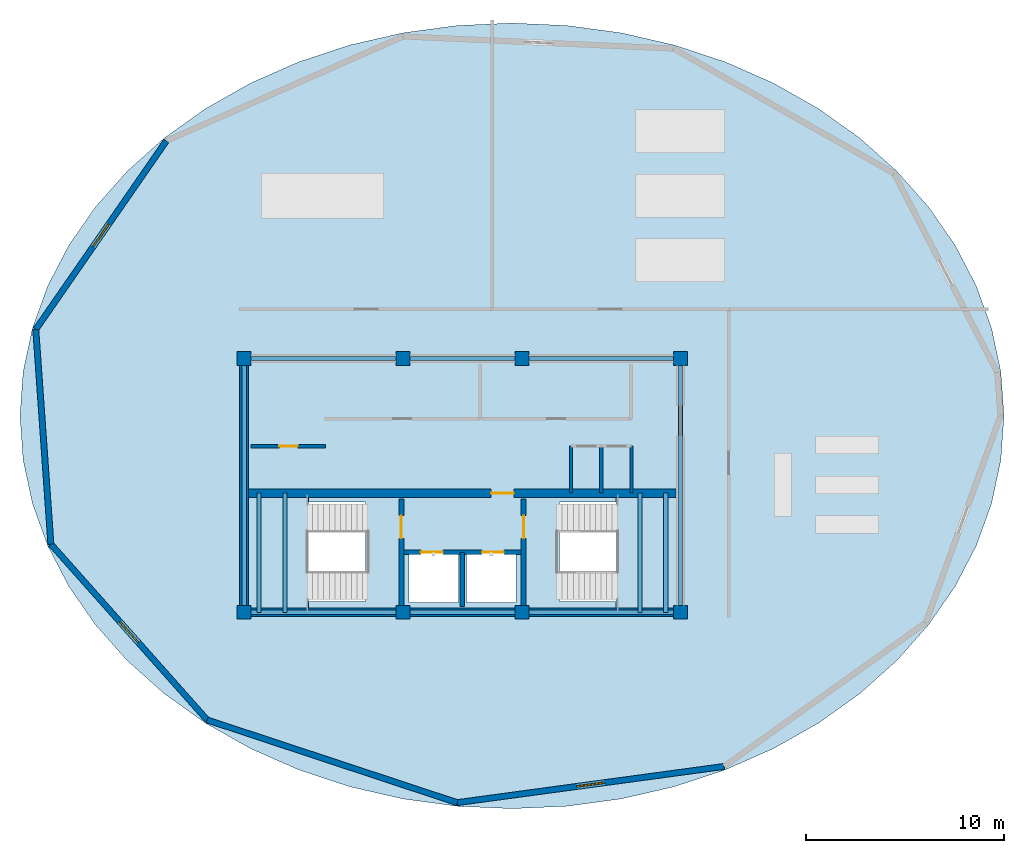
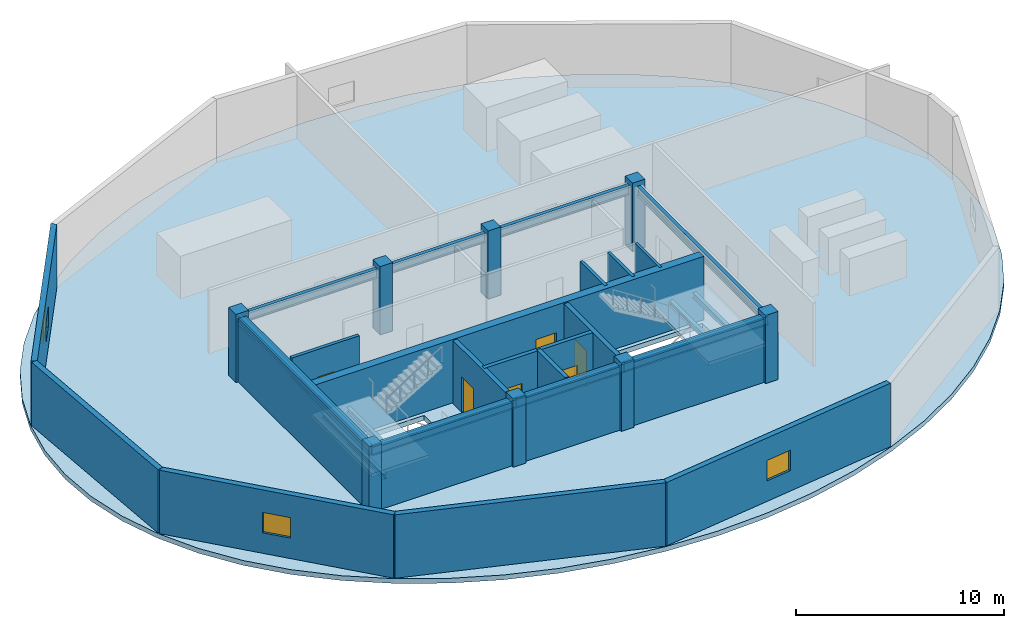
# One storey, part 1 of 4: 16 walls, 12 beams, 8 columns, 6 doors, 3 slabs, 3 windows, 9 openings, 2 elements without a shape of their own.
"""IFC4 building model written with IfcOpenShell, lengths in metres."""

from ifc_helpers import new_model, si_unit, direction, frame, frame_2d, origin, origin_2d, place, context, subcontext, project, spatial, polyline, rectangle, i_section, outline, extrude, material, layer, layer_set, material_profile, profile_set, type_object, element, fill, aggregate, save


model = new_model("IFC4")

# Units and contexts
model_context = context("Model", 3, precision=1e-05, world=origin(), true_north=direction((0.0, 1.0)))
body_context = subcontext(model_context, "Body", "Model", "MODEL_VIEW")
ifc_project = project(units=[si_unit("LENGTHUNIT", "METRE"), si_unit("AREAUNIT", "SQUARE_METRE"), si_unit("VOLUMEUNIT", "CUBIC_METRE"), si_unit("PLANEANGLEUNIT", "RADIAN"), si_unit("MASSUNIT", "GRAM", prefix="KILO")], contexts=[model_context])

# Site, building, storey
site_placement = place(None, origin())
site = spatial("IfcSite", under=ifc_project, at=site_placement, CompositionType="ELEMENT")
building_placement = place(site_placement, origin())
building = spatial("IfcBuilding", under=site, at=building_placement, Name="Kazevale Care Tower and Concert Hall", CompositionType="ELEMENT")
storey_placement = place(building_placement, frame((0.0, 0.0, 300.800048828125)))
storey = spatial("IfcBuildingStorey", under=building, at=storey_placement, Name="L79", CompositionType="ELEMENT", Elevation=300.800048828125)

# Columns
ifc_material_1 = material(Name="Concrete C50", Category="concrete")
ifc_material_profile_1 = material_profile(ifc_material_1, rectangle(XDim=0.699951171875, YDim=0.699951171875, at=origin_2d()), Name="RC-SQ700")
ifc_profile_set_1 = profile_set([ifc_material_profile_1], Name="Concrete C50")
column_type = type_object("IfcColumnType", Name="Core Column SQ700 C50", PredefinedType="COLUMN", material=ifc_profile_set_1)
for number, where, z_axis, x_axis, name in (
    (1, (22.0, 23.60009765625, 0.0), (0.0, 0.0, 1.0), (1.0, 0.0, 0.0), "col:L79:CC-01"),
    (2, (30.0, 23.60009765625, 0.0), (0.0, 0.0, 1.0), (1.0, 0.0, 0.0), "col:L79:CC-02"),
    (3, (36.0, 23.60009765625, 0.0), (0.0, 0.0, 1.0), (1.0, 0.0, 0.0), "col:L79:CC-03"),
    (4, (44.0, 23.60009765625, 0.0), (0.0, 0.0, 1.0), (1.0, 0.0, 0.0), "col:L79:CC-04"),
    (5, (44.0, 36.39990234375, 0.0), (0.0, 0.0, 1.0), (1.0, 0.0, 0.0), "col:L79:CC-05"),
    (6, (36.0, 36.39990234375, 0.0), (0.0, 0.0, 1.0), (1.0, 0.0, 0.0), "col:L79:CC-06"),
    (7, (30.0, 36.39990234375, 0.0), (0.0, 0.0, 1.0), (1.0, 0.0, 0.0), "col:L79:CC-07"),
    (8, (22.0, 36.39990234375, 0.0), (0.0, 0.0, 1.0), (1.0, 0.0, 0.0), "col:L79:CC-08"),
):
    element("IfcColumn", number, at=place(storey_placement, frame(where, z_axis=z_axis, x_axis=x_axis)), inside=storey, type_object=column_type, Name=name, PredefinedType="COLUMN", context=body_context, shape_type="SweptSolid", body=[
        extrude(rectangle(XDim=0.699951171875, YDim=0.699951171875, at=origin_2d()), origin(), (0.0, 0.0, 1.0), 4.0),
    ])

# Beams
ifc_material_2 = material(Name="Steel ASTM A572 Gr 50", Category="steel")
ifc_material_profile_2 = material_profile(ifc_material_2, i_section(OverallWidth=0.202880859375, OverallDepth=0.302978515625, WebThickness=0.007568359375, FlangeThickness=0.01318359375, at=origin_2d()), Name="W310x60")
ifc_profile_set_2 = profile_set([ifc_material_profile_2], Name="Steel ASTM A572 Gr 50")
beam_type_1 = type_object("IfcBeamType", Name="Stair & Balcony Trimmer W310x60", PredefinedType="BEAM", material=ifc_profile_set_2)
for number, where, z_axis, x_axis, name in (
    (9, (22.75, 23.60009765625, 1.6484375), (0.0, 1.0, 0.0), (-1.0, 0.0, 0.0), "beam:L79:sttrim:ST1"),
    (10, (24.050048828125, 23.60009765625, 1.6484375), (0.0, 1.0, 0.0), (-1.0, 0.0, 0.0), "beam:L79:sttrim:ST1b"),
    (11, (41.949951171875, 23.60009765625, 1.6484375), (0.0, 1.0, 0.0), (-1.0, 0.0, 0.0), "beam:L79:sttrim:ST2"),
    (12, (43.25, 23.60009765625, 1.6484375), (0.0, 1.0, 0.0), (-1.0, 0.0, 0.0), "beam:L79:sttrim:ST2b"),
):
    element("IfcBeam", number, at=place(storey_placement, frame(where, z_axis=z_axis, x_axis=x_axis)), inside=storey, type_object=beam_type_1, Name=name, PredefinedType="BEAM", context=body_context, shape_type="SweptSolid", body=[
        extrude(i_section(OverallWidth=0.202880859375, OverallDepth=0.302978515625, WebThickness=0.007568359375, FlangeThickness=0.01318359375, at=origin_2d()), origin(), (0.0, 0.0, 1.0), 6.0),
    ])
ifc_material_profile_3 = material_profile(ifc_material_2, i_section(OverallWidth=0.208984375, OverallDepth=0.532958984375, WebThickness=0.01025390625, FlangeThickness=0.015625, at=origin_2d()), Name="W530x92")
ifc_profile_set_3 = profile_set([ifc_material_profile_3], Name="Steel ASTM A572 Gr 50")
beam_type_2 = type_object("IfcBeamType", Name="Upper Ring Beam W530x92", PredefinedType="BEAM", material=ifc_profile_set_3)
beam_1_placement = place(storey_placement, frame((22.0, 23.60009765625, 3.453369140625), z_axis=(1.0, 0.0, 0.0), x_axis=(0.0, 1.0, 0.0)))
element("IfcBeam", 13, at=beam_1_placement, inside=storey, type_object=beam_type_2, Name="beam:L79:drum:1", PredefinedType="BEAM", context=body_context, shape_type="SweptSolid", body=[
    extrude(i_section(OverallWidth=0.208984375, OverallDepth=0.532958984375, WebThickness=0.01025390625, FlangeThickness=0.015625, at=origin_2d()), origin(), (0.0, 0.0, 1.0), 8.0),
])
beam_2_placement = place(storey_placement, frame((30.0, 23.60009765625, 3.453369140625), z_axis=(1.0, 0.0, 0.0), x_axis=(0.0, 1.0, 0.0)))
element("IfcBeam", 14, at=beam_2_placement, inside=storey, type_object=beam_type_2, Name="beam:L79:drum:2", PredefinedType="BEAM", context=body_context, shape_type="SweptSolid", body=[
    extrude(i_section(OverallWidth=0.208984375, OverallDepth=0.532958984375, WebThickness=0.01025390625, FlangeThickness=0.015625, at=origin_2d()), origin(), (0.0, 0.0, 1.0), 6.0),
])
beam_3_placement = place(storey_placement, frame((36.0, 23.60009765625, 3.453369140625), z_axis=(1.0, 0.0, 0.0), x_axis=(0.0, 1.0, 0.0)))
element("IfcBeam", 15, at=beam_3_placement, inside=storey, type_object=beam_type_2, Name="beam:L79:drum:3", PredefinedType="BEAM", context=body_context, shape_type="SweptSolid", body=[
    extrude(i_section(OverallWidth=0.208984375, OverallDepth=0.532958984375, WebThickness=0.01025390625, FlangeThickness=0.015625, at=origin_2d()), origin(), (0.0, 0.0, 1.0), 8.0),
])
beam_4_placement = place(storey_placement, frame((44.0, 23.60009765625, 3.453369140625), z_axis=(0.0, 1.0, 0.0), x_axis=(-1.0, 0.0, 0.0)))
element("IfcBeam", 16, at=beam_4_placement, inside=storey, type_object=beam_type_2, Name="beam:L79:drum:4", PredefinedType="BEAM", context=body_context, shape_type="SweptSolid", body=[
    extrude(i_section(OverallWidth=0.208984375, OverallDepth=0.532958984375, WebThickness=0.01025390625, FlangeThickness=0.015625, at=origin_2d()), origin(), (0.0, 0.0, 1.0), 12.7998046875),
])
beam_5_placement = place(storey_placement, frame((44.0, 36.39990234375, 3.453369140625), z_axis=(-1.0, 0.0, 0.0), x_axis=(0.0, -1.0, 0.0)))
element("IfcBeam", 17, at=beam_5_placement, inside=storey, type_object=beam_type_2, Name="beam:L79:drum:5", PredefinedType="BEAM", context=body_context, shape_type="SweptSolid", body=[
    extrude(i_section(OverallWidth=0.208984375, OverallDepth=0.532958984375, WebThickness=0.01025390625, FlangeThickness=0.015625, at=origin_2d()), origin(), (0.0, 0.0, 1.0), 8.0),
])
beam_6_placement = place(storey_placement, frame((36.0, 36.39990234375, 3.453369140625), z_axis=(-1.0, 0.0, 0.0), x_axis=(0.0, -1.0, 0.0)))
element("IfcBeam", 18, at=beam_6_placement, inside=storey, type_object=beam_type_2, Name="beam:L79:drum:6", PredefinedType="BEAM", context=body_context, shape_type="SweptSolid", body=[
    extrude(i_section(OverallWidth=0.208984375, OverallDepth=0.532958984375, WebThickness=0.01025390625, FlangeThickness=0.015625, at=origin_2d()), origin(), (0.0, 0.0, 1.0), 6.0),
])
beam_7_placement = place(storey_placement, frame((30.0, 36.39990234375, 3.453369140625), z_axis=(-1.0, 0.0, 0.0), x_axis=(0.0, -1.0, 0.0)))
element("IfcBeam", 19, at=beam_7_placement, inside=storey, type_object=beam_type_2, Name="beam:L79:drum:7", PredefinedType="BEAM", context=body_context, shape_type="SweptSolid", body=[
    extrude(i_section(OverallWidth=0.208984375, OverallDepth=0.532958984375, WebThickness=0.01025390625, FlangeThickness=0.015625, at=origin_2d()), origin(), (0.0, 0.0, 1.0), 8.0),
])
beam_8_placement = place(storey_placement, frame((22.0, 36.39990234375, 3.453369140625), z_axis=(0.0, -1.0, 0.0), x_axis=(1.0, 0.0, 0.0)))
element("IfcBeam", 20, at=beam_8_placement, inside=storey, type_object=beam_type_2, Name="beam:L79:drum:8", PredefinedType="BEAM", context=body_context, shape_type="SweptSolid", body=[
    extrude(i_section(OverallWidth=0.208984375, OverallDepth=0.532958984375, WebThickness=0.01025390625, FlangeThickness=0.015625, at=origin_2d()), origin(), (0.0, 0.0, 1.0), 12.7998046875),
])

# Slab
ifc_material_3 = material(Name="Concrete C40", Category="concrete")
ifc_layer_1 = layer(ifc_material_3, 0.280029296875)
ifc_layer_set_1 = layer_set([ifc_layer_1], Name="Concrete C40")
slab_type_1 = type_object("IfcSlabType", Name="Crown Plant Floor Slab 280", PredefinedType="FLOOR", material=ifc_layer_set_1)
slab_1_placement = place(storey_placement, frame((0.0, 0.0, -0.280029296875)))
element("IfcSlab", 21, at=slab_1_placement, inside=storey, type_object=slab_type_1, Name="slab:L79:tw:1", PredefinedType="FLOOR", context=body_context, shape_type="SweptSolid", body=[
    extrude(outline(polyline([(60.300048828125, 33.5), (60.14404296875, 35.716796875), (59.67822265625, 37.906005859375), (58.908203125, 40.03955078125), (57.843994140625, 42.0908203125), (56.498779296875, 44.0341796875), (54.889404296875, 45.84521484375), (53.0361328125, 47.500732421875), (50.96240234375, 48.980224609375), (48.6943359375, 50.26513671875), (46.26025390625, 51.339111328125), (43.69091796875, 52.18896484375), (41.0185546875, 52.8037109375), (38.276611328125, 53.175537109375), (35.5, 53.300048828125), (32.723388671875, 53.175537109375), (29.9814453125, 52.8037109375), (27.30908203125, 52.18896484375), (24.73974609375, 51.339111328125), (22.3056640625, 50.26513671875), (20.03759765625, 48.980224609375), (17.9638671875, 47.500732421875), (16.110595703125, 45.84521484375), (14.501220703125, 44.0341796875), (13.156005859375, 42.0908203125), (12.091796875, 40.03955078125), (11.32177734375, 37.906005859375), (10.85595703125, 35.716796875), (10.699951171875, 33.5), (10.85595703125, 31.283203125), (11.32177734375, 29.093994140625), (12.091796875, 26.96044921875), (13.156005859375, 24.9091796875), (14.501220703125, 22.9658203125), (16.110595703125, 21.15478515625), (17.9638671875, 19.499267578125), (20.03759765625, 18.019775390625), (22.3056640625, 16.73486328125), (24.73974609375, 15.660888671875), (27.30908203125, 14.81103515625), (29.9814453125, 14.1962890625), (32.723388671875, 13.824462890625), (35.5, 13.699951171875), (38.276611328125, 13.824462890625), (41.0185546875, 14.1962890625), (43.69091796875, 14.81103515625), (46.26025390625, 15.660888671875), (48.6943359375, 16.73486328125), (50.96240234375, 18.019775390625), (53.0361328125, 19.499267578125), (54.889404296875, 21.15478515625), (56.498779296875, 22.9658203125), (57.843994140625, 24.9091796875), (58.908203125, 26.96044921875), (59.67822265625, 29.093994140625), (60.14404296875, 31.283203125), (60.300048828125, 33.5)]), holes=[polyline([(22.449951171875, 24.14990234375), (28.110107421875, 24.14990234375), (28.110107421875, 29.14990234375), (22.449951171875, 29.14990234375), (22.449951171875, 24.14990234375)]), polyline([(37.889892578125, 24.14990234375), (43.550048828125, 24.14990234375), (43.550048828125, 29.14990234375), (37.889892578125, 29.14990234375), (37.889892578125, 24.14990234375)]), polyline([(30.300048828125, 24.10009765625), (32.800048828125, 24.10009765625), (32.800048828125, 26.60009765625), (30.300048828125, 26.60009765625), (30.300048828125, 24.10009765625)]), polyline([(33.199951171875, 24.10009765625), (35.699951171875, 24.10009765625), (35.699951171875, 26.60009765625), (33.199951171875, 26.60009765625), (33.199951171875, 24.10009765625)])]), origin(), (0.0, 0.0, 1.0), 0.280029296875),
])

# Stair, slab
stair_type = type_object("IfcStairType", Name="Exit Stair Assembly ST1-C", PredefinedType="HALF_TURN_STAIR", material=ifc_material_3)
stair_1_placement = place(storey_placement, origin())
stair_1 = element("IfcStair", 22, at=stair_1_placement, inside=storey, type_object=stair_type, Name="stair:L79:ST1", PredefinedType="HALF_TURN_STAIR")
ifc_layer_2 = layer(ifc_material_3, 0.199951171875)
ifc_layer_set_2 = layer_set([ifc_layer_2], Name="Concrete C40")
slab_type_2 = type_object("IfcSlabType", Name="Stair Half-Landing Slab ST1-C", PredefinedType="LANDING", material=ifc_layer_set_2)
slab_2_placement = place(storey_placement, frame((0.0, 0.0, 1.800048828125)))
slab_2 = element("IfcSlab", 23, at=slab_2_placement, type_object=slab_type_2, Name="ST1-C landing 1", PredefinedType="LANDING", context=body_context, shape_type="SweptSolid", body=[
    extrude(outline(polyline([(22.050048828125, 23.699951171875), (25.25, 23.699951171875), (25.25, 29.5), (22.050048828125, 29.5), (22.050048828125, 23.699951171875)])), origin(), (0.0, 0.0, 1.0), 0.199951171875),
])
aggregate(stair_1, [slab_2])

stair_2_placement = place(storey_placement, origin())
stair_2 = element("IfcStair", 24, at=stair_2_placement, inside=storey, type_object=stair_type, Name="stair:L79:ST2", PredefinedType="HALF_TURN_STAIR")
slab_3_placement = place(storey_placement, frame((0.0, 0.0, 1.800048828125)))
slab_3 = element("IfcSlab", 25, at=slab_3_placement, type_object=slab_type_2, Name="ST1-C landing 1", PredefinedType="LANDING", context=body_context, shape_type="SweptSolid", body=[
    extrude(outline(polyline([(40.75, 23.699951171875), (43.949951171875, 23.699951171875), (43.949951171875, 29.5), (40.75, 29.5), (40.75, 23.699951171875)])), origin(), (0.0, 0.0, 1.0), 0.199951171875),
])
aggregate(stair_2, [slab_3])

# Walls
ifc_material_4 = material(Name="Acoustic Gypsum on Steel Stud", Category="steel")
ifc_layer_3 = layer(ifc_material_4, 0.139892578125)
ifc_layer_set_3 = layer_set([ifc_layer_3], Name="Acoustic Gypsum on Steel Stud")
wall_type_1 = type_object("IfcWallType", Name="Acoustic Care & Suite Partition 140", PredefinedType="PARTITIONING", material=ifc_layer_set_3)
wall_1_placement = place(storey_placement, frame((41.52001953125, 29.6201171875, 0.0), z_axis=(0.0, 0.0, 1.0), x_axis=(0.0, 1.0, 0.0)))
element("IfcWall", 26, at=wall_1_placement, inside=storey, type_object=wall_type_1, Name="wall:L79:ka_ee", PredefinedType="PARTITIONING", context=body_context, shape_type="SweptSolid", body=[
    extrude(rectangle(XDim=2.35986328125, YDim=0.139892578125, at=frame_2d((1.179931640625, 0.0))), origin(), (0.0, 0.0, 1.0), 3.719970703125),
])
ifc_layer_4 = layer(ifc_material_1, 0.449951171875)
ifc_layer_set_4 = layer_set([ifc_layer_4], Name="Concrete C50")
wall_type_2 = type_object("IfcWallType", Name="Core Shear Wall 450 C50", PredefinedType="SHEAR", material=ifc_layer_set_4)
wall_2_placement = place(storey_placement, frame((21.77490234375, 23.60009765625, 0.0), z_axis=(0.0, 0.0, 1.0), x_axis=(1.0, 0.0, 0.0)))
element("IfcWall", 27, at=wall_2_placement, inside=storey, type_object=wall_type_2, Name="wall:L79:core:S", PredefinedType="SHEAR", context=body_context, shape_type="SweptSolid", body=[
    extrude(rectangle(XDim=22.4501953125, YDim=0.449951171875, at=frame_2d((11.22509765625, 0.0))), origin(), (0.0, 0.0, 1.0), 3.719970703125),
])
wall_3_placement = place(storey_placement, frame((22.0, 23.824951171875, 0.0), z_axis=(0.0, 0.0, 1.0), x_axis=(0.0, 1.0, 0.0)))
element("IfcWall", 28, at=wall_3_placement, inside=storey, type_object=wall_type_2, Name="wall:L79:core:W", PredefinedType="SHEAR", context=body_context, shape_type="SweptSolid", body=[
    extrude(rectangle(XDim=12.35009765625, YDim=0.449951171875, at=frame_2d((6.175048828125, 0.0))), origin(), (0.0, 0.0, 1.0), 3.719970703125),
])

# Wall, opening, door
wall_4_placement = place(storey_placement, frame((22.22509765625, 29.60009765625, 0.0), z_axis=(0.0, 0.0, 1.0), x_axis=(1.0, 0.0, 0.0)))
wall_4 = element("IfcWall", 29, at=wall_4_placement, inside=storey, type_object=wall_type_2, Name="wall:L79:core:M", PredefinedType="SHEAR", context=body_context, shape_type="SweptSolid", body=[
    extrude(rectangle(XDim=21.5498046875, YDim=0.449951171875, at=frame_2d((10.77490234375, 0.0))), origin(), (0.0, 0.0, 1.0), 3.719970703125),
])
opening_1_placement = place(wall_4_placement, frame((12.22509765625, 0.0, 0.0)))
opening_1 = element("IfcOpeningElement", 30, at=opening_1_placement, cuts=wall_4, Name="Opening FD-90", PredefinedType="OPENING", context=body_context, shape_type="SweptSolid", body=[
    extrude(rectangle(XDim=1.14990234375, YDim=2.10009765625, at=frame_2d((0.574951171875, 1.050048828125))), frame((0.0, 0.23486328125, 0.0), z_axis=(0.0, -1.0, 0.0), x_axis=(1.0, 0.0, 0.0)), (0.0, 0.0, 1.0), 0.469970703125),
])
door_type_1 = type_object("IfcDoorType", Name="Pressurized Stair & Lobby Fire Door 1150x2100", OperationType="NOTDEFINED", PredefinedType="DOOR", material=ifc_material_2)
door_1_placement = place(opening_1_placement, origin())
door_1 = element("IfcDoor", 31, at=door_1_placement, inside=storey, type_object=door_type_1, Name="door:L79:ff_to_pax", OperationType="SINGLE_SWING_LEFT", OverallHeight=2.10009765625, OverallWidth=1.14990234375, PredefinedType="DOOR", context=body_context, shape_type="SweptSolid", body=[
    extrude(rectangle(XDim=1.14990234375, YDim=2.10009765625, at=frame_2d((0.574951171875, 1.050048828125))), frame((0.0, 0.02490234375, 0.0), z_axis=(0.0, -1.0, 0.0), x_axis=(1.0, 0.0, 0.0)), (0.0, 0.0, 1.0), 0.050048828125),
])
fill(opening_1, door_1)

# Wall, opening, window
ifc_material_5 = material(Name="Concrete C40 with Honed Limestone Cladding", Category="masonry")
ifc_layer_5 = layer(ifc_material_5, 0.300048828125)
ifc_layer_set_5 = layer_set([ifc_layer_5], Name="Concrete C40 with Honed Limestone Cladding")
wall_type_3 = type_object("IfcWallType", Name="Crown Drum Louvred Stone Wall 300", PredefinedType="STANDARD", material=ifc_layer_set_5)
wall_5_placement = place(storey_placement, frame((46.196044921875, 15.8291015625, 0.0), z_axis=(0.0, 0.0, 1.0), x_axis=(-0.990927056791, -0.134400774248, 0.0)))
wall_5 = element("IfcWall", 32, at=wall_5_placement, inside=storey, type_object=wall_type_3, Name="wall:L79:drum:03", PredefinedType="STANDARD", context=body_context, shape_type="SweptSolid", body=[
    extrude(rectangle(XDim=13.580322265625, YDim=0.300048828125, at=frame_2d((6.7900390625, 0.0))), origin(), (0.0, 0.0, 1.0), 3.719970703125),
])
opening_2_placement = place(wall_5_placement, frame((6.090087890625, 0.0, 1.199951171875)))
opening_2 = element("IfcOpeningElement", 33, at=opening_2_placement, cuts=wall_5, Name="Opening WIN-4", PredefinedType="OPENING", context=body_context, shape_type="SweptSolid", body=[
    extrude(rectangle(XDim=1.39990234375, YDim=1.199951171875, at=frame_2d((0.699951171875, 0.60009765625))), frame((0.0, 0.159912109375, 0.0), z_axis=(0.0, -1.0, 0.0), x_axis=(1.0, 0.0, 0.0)), (0.0, 0.0, 1.0), 0.320068359375),
])
ifc_material_6 = material(Name="Aluminium 6063-T6", Category="aluminium")
window_type = type_object("IfcWindowType", Name="Crown Plant Louvred Window 1400x1200", PartitioningType="SINGLE_PANEL", PredefinedType="WINDOW", material=ifc_material_6)
window_1_placement = place(opening_2_placement, origin())
window_1 = element("IfcWindow", 34, at=window_1_placement, inside=storey, type_object=window_type, Name="win:L79:drum:03", OverallHeight=1.199951171875, OverallWidth=1.39990234375, PartitioningType="SINGLE_PANEL", PredefinedType="WINDOW", context=body_context, shape_type="SweptSolid", body=[
    extrude(rectangle(XDim=1.39990234375, YDim=1.199951171875, at=frame_2d((0.699951171875, 0.60009765625))), frame((0.0, 0.030029296875, 0.0), z_axis=(0.0, -1.0, 0.0), x_axis=(1.0, 0.0, 0.0)), (0.0, 0.0, 1.0), 0.06005859375),
])
fill(opening_2, window_1)

# Wall
wall_6_placement = place(storey_placement, frame((32.739013671875, 14.00390625, 0.0), z_axis=(0.0, 0.0, 1.0), x_axis=(-0.949436386168, 0.313959469709, 0.0)))
element("IfcWall", 35, at=wall_6_placement, inside=storey, type_object=wall_type_3, Name="wall:L79:drum:04", PredefinedType="STANDARD", context=body_context, shape_type="SweptSolid", body=[
    extrude(rectangle(XDim=13.2763671875, YDim=0.300048828125, at=frame_2d((6.63818359375, 0.0))), origin(), (0.0, 0.0, 1.0), 3.719970703125),
])

# Wall, opening, window
wall_7_placement = place(storey_placement, frame((20.134033203125, 18.172119140625, 0.0), z_axis=(0.0, 0.0, 1.0), x_axis=(-0.664394513906, 0.747382050822, 0.0)))
wall_7 = element("IfcWall", 36, at=wall_7_placement, inside=storey, type_object=wall_type_3, Name="wall:L79:drum:05", PredefinedType="STANDARD", context=body_context, shape_type="SweptSolid", body=[
    extrude(rectangle(XDim=11.85595703125, YDim=0.300048828125, at=frame_2d((5.927978515625, 0.0))), origin(), (0.0, 0.0, 1.0), 3.719970703125),
])
opening_3_placement = place(wall_7_placement, frame((5.22802734375, 0.0, 1.199951171875)))
opening_3 = element("IfcOpeningElement", 37, at=opening_3_placement, cuts=wall_7, Name="Opening WIN-4", PredefinedType="OPENING", context=body_context, shape_type="SweptSolid", body=[
    extrude(rectangle(XDim=1.39990234375, YDim=1.199951171875, at=frame_2d((0.699951171875, 0.60009765625))), frame((0.0, 0.159912109375, 0.0), z_axis=(0.0, -1.0, 0.0), x_axis=(1.0, 0.0, 0.0)), (0.0, 0.0, 1.0), 0.320068359375),
])
window_2_placement = place(opening_3_placement, origin())
window_2 = element("IfcWindow", 38, at=window_2_placement, inside=storey, type_object=window_type, Name="win:L79:drum:05", OverallHeight=1.199951171875, OverallWidth=1.39990234375, PartitioningType="SINGLE_PANEL", PredefinedType="WINDOW", context=body_context, shape_type="SweptSolid", body=[
    extrude(rectangle(XDim=1.39990234375, YDim=1.199951171875, at=frame_2d((0.699951171875, 0.60009765625))), frame((0.0, 0.030029296875, 0.0), z_axis=(0.0, -1.0, 0.0), x_axis=(1.0, 0.0, 0.0)), (0.0, 0.0, 1.0), 0.06005859375),
])
fill(opening_3, window_2)

# Wall
wall_8_placement = place(storey_placement, frame((12.257080078125, 27.032958984375, 0.0), z_axis=(0.0, 0.0, 1.0), x_axis=(-0.070228374331, 0.99753093959, 0.0)))
element("IfcWall", 39, at=wall_8_placement, inside=storey, type_object=wall_type_3, Name="wall:L79:drum:06", PredefinedType="STANDARD", context=body_context, shape_type="SweptSolid", body=[
    extrude(rectangle(XDim=10.849853515625, YDim=0.300048828125, at=frame_2d((5.4248046875, 0.0))), origin(), (0.0, 0.0, 1.0), 3.719970703125),
])

# Wall, opening, window
wall_9_placement = place(storey_placement, frame((11.4951171875, 37.85595703125, 0.0), z_axis=(0.0, 0.0, 1.0), x_axis=(0.569269280193, 0.822151133691, 0.0)))
wall_9 = element("IfcWall", 40, at=wall_9_placement, inside=storey, type_object=wall_type_3, Name="wall:L79:drum:07", PredefinedType="STANDARD", context=body_context, shape_type="SweptSolid", body=[
    extrude(rectangle(XDim=11.56005859375, YDim=0.300048828125, at=frame_2d((5.780029296875, 0.0))), origin(), (0.0, 0.0, 1.0), 3.719970703125),
])
opening_4_placement = place(wall_9_placement, frame((5.080078125, 0.0, 1.199951171875)))
opening_4 = element("IfcOpeningElement", 41, at=opening_4_placement, cuts=wall_9, Name="Opening WIN-4", PredefinedType="OPENING", context=body_context, shape_type="SweptSolid", body=[
    extrude(rectangle(XDim=1.39990234375, YDim=1.199951171875, at=frame_2d((0.699951171875, 0.60009765625))), frame((0.0, 0.159912109375, 0.0), z_axis=(0.0, -1.0, 0.0), x_axis=(1.0, 0.0, 0.0)), (0.0, 0.0, 1.0), 0.320068359375),
])
window_3_placement = place(opening_4_placement, origin())
window_3 = element("IfcWindow", 42, at=window_3_placement, inside=storey, type_object=window_type, Name="win:L79:drum:07", OverallHeight=1.199951171875, OverallWidth=1.39990234375, PartitioningType="SINGLE_PANEL", PredefinedType="WINDOW", context=body_context, shape_type="SweptSolid", body=[
    extrude(rectangle(XDim=1.39990234375, YDim=1.199951171875, at=frame_2d((0.699951171875, 0.60009765625))), frame((0.0, 0.030029296875, 0.0), z_axis=(0.0, -1.0, 0.0), x_axis=(1.0, 0.0, 0.0)), (0.0, 0.0, 1.0), 0.06005859375),
])
fill(opening_4, window_3)

# Wall, openings, doors
ifc_layer_6 = layer(ifc_material_3, 0.219970703125)
ifc_layer_set_6 = layer_set([ifc_layer_6], Name="Concrete C40")
wall_type_4 = type_object("IfcWallType", Name="Elevator Hoistway Shaft Wall 220", PredefinedType="SOLIDWALL", material=ifc_layer_set_6)
wall_10_placement = place(storey_placement, frame((29.919921875, 26.6201171875, 0.0), z_axis=(0.0, 0.0, 1.0), x_axis=(1.0, 0.0, 0.0)))
wall_10 = element("IfcWall", 43, at=wall_10_placement, inside=storey, type_object=wall_type_4, Name="wall:L79:c_ffl_n", PredefinedType="SOLIDWALL", context=body_context, shape_type="SweptSolid", body=[
    extrude(rectangle(XDim=6.16015625, YDim=0.219970703125, at=frame_2d((3.080078125, 0.0))), origin(), (0.0, 0.0, 1.0), 3.719970703125),
])
opening_5_placement = place(wall_10_placement, frame((0.989990234375, 0.0, 0.0)))
opening_5 = element("IfcOpeningElement", 44, at=opening_5_placement, cuts=wall_10, Name="Opening LD-FF", PredefinedType="OPENING", context=body_context, shape_type="SweptSolid", body=[
    extrude(rectangle(XDim=1.10009765625, YDim=2.10009765625, at=frame_2d((0.550048828125, 1.050048828125))), frame((0.0, 0.119873046875, 0.0), z_axis=(0.0, -1.0, 0.0), x_axis=(1.0, 0.0, 0.0)), (0.0, 0.0, 1.0), 0.239990234375),
])
opening_6_placement = place(wall_10_placement, frame((4.070068359375, 0.0, 0.0)))
opening_6 = element("IfcOpeningElement", 45, at=opening_6_placement, cuts=wall_10, Name="Opening LD-FF", PredefinedType="OPENING", context=body_context, shape_type="SweptSolid", body=[
    extrude(rectangle(XDim=1.10009765625, YDim=2.10009765625, at=frame_2d((0.550048828125, 1.050048828125))), frame((0.0, 0.119873046875, 0.0), z_axis=(0.0, -1.0, 0.0), x_axis=(1.0, 0.0, 0.0)), (0.0, 0.0, 1.0), 0.239990234375),
])
ifc_material_7 = material(Name="Stainless Steel 316", Category="steel")
door_type_2 = type_object("IfcDoorType", Name="Emergency Lift Sliding Landing Door 1100x2100", OperationType="NOTDEFINED", PredefinedType="DOOR", material=ifc_material_7)
door_2_placement = place(opening_5_placement, origin())
door_2 = element("IfcDoor", 46, at=door_2_placement, inside=storey, type_object=door_type_2, Name="door:L79:ld_ffl1", OperationType="SLIDING_TO_LEFT", OverallHeight=2.10009765625, OverallWidth=1.10009765625, PredefinedType="DOOR", context=body_context, shape_type="SweptSolid", body=[
    extrude(rectangle(XDim=1.10009765625, YDim=2.10009765625, at=frame_2d((0.550048828125, 1.050048828125))), frame((0.0, 0.02490234375, 0.0), z_axis=(0.0, -1.0, 0.0), x_axis=(1.0, 0.0, 0.0)), (0.0, 0.0, 1.0), 0.050048828125),
])
fill(opening_5, door_2)
door_3_placement = place(opening_6_placement, origin())
door_3 = element("IfcDoor", 47, at=door_3_placement, inside=storey, type_object=door_type_2, Name="door:L79:ld_ffl2", OperationType="SLIDING_TO_RIGHT", OverallHeight=2.10009765625, OverallWidth=1.10009765625, PredefinedType="DOOR", context=body_context, shape_type="SweptSolid", body=[
    extrude(rectangle(XDim=1.10009765625, YDim=2.10009765625, at=frame_2d((0.550048828125, 1.050048828125))), frame((0.0, 0.02490234375, 0.0), z_axis=(0.0, -1.0, 0.0), x_axis=(1.0, 0.0, 0.0)), (0.0, 0.0, 1.0), 0.050048828125),
])
fill(opening_6, door_3)

# Wall
wall_11_placement = place(storey_placement, frame((33.0, 23.89990234375, 0.0), z_axis=(0.0, 0.0, 1.0), x_axis=(0.0, 1.0, 0.0)))
element("IfcWall", 48, at=wall_11_placement, inside=storey, type_object=wall_type_4, Name="wall:L79:c_ffl_m", PredefinedType="SOLIDWALL", context=body_context, shape_type="SweptSolid", body=[
    extrude(rectangle(XDim=2.72021484375, YDim=0.219970703125, at=frame_2d((1.360107421875, 0.0))), origin(), (0.0, 0.0, 1.0), 3.719970703125),
])

# Wall, opening, door
ifc_material_8 = material(Name="Concrete C40 and Acoustic Gypsum", Category="concrete")
ifc_layer_7 = layer(ifc_material_8, 0.179931640625)
ifc_layer_set_7 = layer_set([ifc_layer_7], Name="Concrete C40 and Acoustic Gypsum")
wall_type_5 = type_object("IfcWallType", Name="Fire-Rated Corridor & Party Wall 180", PredefinedType="PARTITIONING", material=ifc_layer_set_7)
wall_12_placement = place(storey_placement, frame((22.35009765625, 31.97998046875, 0.0), z_axis=(0.0, 0.0, 1.0), x_axis=(1.0, 0.0, 0.0)))
wall_12 = element("IfcWall", 49, at=wall_12_placement, inside=storey, type_object=wall_type_5, Name="wall:L79:ka_wn1", PredefinedType="PARTITIONING", context=body_context, shape_type="SweptSolid", body=[
    extrude(rectangle(XDim=3.75, YDim=0.179931640625, at=frame_2d((1.875, 0.0))), origin(), (0.0, 0.0, 1.0), 3.719970703125),
])
opening_7_placement = place(wall_12_placement, frame((1.425048828125, 0.0, 0.0)))
opening_7 = element("IfcOpeningElement", 50, at=opening_7_placement, cuts=wall_12, Name="Opening ID-900", PredefinedType="OPENING", context=body_context, shape_type="SweptSolid", body=[
    extrude(rectangle(XDim=0.919921875, YDim=2.10009765625, at=frame_2d((0.4599609375, 1.050048828125))), frame((0.0, 0.099853515625, 0.0), z_axis=(0.0, -1.0, 0.0), x_axis=(1.0, 0.0, 0.0)), (0.0, 0.0, 1.0), 0.199951171875),
])
ifc_material_9 = material(Name="Oak Timber Fire Leaf", Category="wood")
door_type_3 = type_object("IfcDoorType", Name="Bathroom & Service Door 920x2100", OperationType="NOTDEFINED", PredefinedType="DOOR", material=ifc_material_9)
door_4_placement = place(opening_7_placement, origin())
door_4 = element("IfcDoor", 51, at=door_4_placement, inside=storey, type_object=door_type_3, Name="door:L79:d_kaw", OperationType="SINGLE_SWING_LEFT", OverallHeight=2.10009765625, OverallWidth=0.919921875, PredefinedType="DOOR", context=body_context, shape_type="SweptSolid", body=[
    extrude(rectangle(XDim=0.919921875, YDim=2.10009765625, at=frame_2d((0.4599609375, 1.050048828125))), frame((0.0, 0.02490234375, 0.0), z_axis=(0.0, -1.0, 0.0), x_axis=(1.0, 0.0, 0.0)), (0.0, 0.0, 1.0), 0.050048828125),
])
fill(opening_7, door_4)

# Walls
ifc_layer_8 = layer(ifc_material_4, 0.159912109375)
ifc_layer_set_8 = layer_set([ifc_layer_8], Name="Acoustic Gypsum on Steel Stud")
wall_type_6 = type_object("IfcWallType", Name="Moisture-Resistant Bathroom Plumbing Wall 160", PredefinedType="PLUMBINGWALL", material=ifc_layer_set_8)
for number, where, z_axis, x_axis, name in (
    (52, (38.47998046875, 29.6201171875, 0.0), (0.0, 0.0, 1.0), (0.0, 1.0, 0.0), "wall:L79:ka_ew"),
    (53, (40.0, 29.6201171875, 0.0), (0.0, 0.0, 1.0), (0.0, 1.0, 0.0), "wall:L79:ka_em"),
):
    element("IfcWall", number, at=place(storey_placement, frame(where, z_axis=z_axis, x_axis=x_axis)), inside=storey, type_object=wall_type_6, Name=name, PredefinedType="PLUMBINGWALL", context=body_context, shape_type="SweptSolid", body=[
        extrude(rectangle(XDim=2.35986328125, YDim=0.159912109375, at=frame_2d((1.179931640625, 0.0))), origin(), (0.0, 0.0, 1.0), 3.719970703125),
    ])

# Wall, opening, door
ifc_layer_9 = layer(ifc_material_3, 0.25)
ifc_layer_set_9 = layer_set([ifc_layer_9], Name="Concrete C40")
wall_type_7 = type_object("IfcWallType", Name="Pressurized Stair Shaft Wall 250", PredefinedType="SOLIDWALL", material=ifc_layer_set_9)
wall_13_placement = place(storey_placement, frame((29.919921875, 23.89990234375, 0.0), z_axis=(0.0, 0.0, 1.0), x_axis=(0.0, 1.0, 0.0)))
wall_13 = element("IfcWall", 54, at=wall_13_placement, inside=storey, type_object=wall_type_7, Name="wall:L79:c_st1_e", PredefinedType="SOLIDWALL", context=body_context, shape_type="SweptSolid", body=[
    extrude(rectangle(XDim=5.400146484375, YDim=0.25, at=frame_2d((2.7001953125, 0.0))), origin(), (0.0, 0.0, 1.0), 3.719970703125),
])
opening_8_placement = place(wall_13_placement, frame((3.4208984375, 0.0, 0.0)))
opening_8 = element("IfcOpeningElement", 55, at=opening_8_placement, cuts=wall_13, Name="Opening FD-90", PredefinedType="OPENING", context=body_context, shape_type="SweptSolid", body=[
    extrude(rectangle(XDim=1.14990234375, YDim=2.10009765625, at=frame_2d((0.574951171875, 1.050048828125))), frame((0.0, 0.135009765625, 0.0), z_axis=(0.0, -1.0, 0.0), x_axis=(1.0, 0.0, 0.0)), (0.0, 0.0, 1.0), 0.27001953125),
])
door_5_placement = place(opening_8_placement, origin())
door_5 = element("IfcDoor", 56, at=door_5_placement, inside=storey, type_object=door_type_1, Name="door:L79:st1", OperationType="SINGLE_SWING_RIGHT", OverallHeight=2.10009765625, OverallWidth=1.14990234375, PredefinedType="DOOR", context=body_context, shape_type="SweptSolid", body=[
    extrude(rectangle(XDim=1.14990234375, YDim=2.10009765625, at=frame_2d((0.574951171875, 1.050048828125))), frame((0.0, 0.02490234375, 0.0), z_axis=(0.0, -1.0, 0.0), x_axis=(1.0, 0.0, 0.0)), (0.0, 0.0, 1.0), 0.050048828125),
])
fill(opening_8, door_5)

wall_14_placement = place(storey_placement, frame((36.080078125, 23.89990234375, 0.0), z_axis=(0.0, 0.0, 1.0), x_axis=(0.0, 1.0, 0.0)))
wall_14 = element("IfcWall", 57, at=wall_14_placement, inside=storey, type_object=wall_type_7, Name="wall:L79:c_st2_w", PredefinedType="SOLIDWALL", context=body_context, shape_type="SweptSolid", body=[
    extrude(rectangle(XDim=5.400146484375, YDim=0.25, at=frame_2d((2.7001953125, 0.0))), origin(), (0.0, 0.0, 1.0), 3.719970703125),
])
opening_9_placement = place(wall_14_placement, frame((3.4208984375, 0.0, 0.0)))
opening_9 = element("IfcOpeningElement", 58, at=opening_9_placement, cuts=wall_14, Name="Opening FD-90", PredefinedType="OPENING", context=body_context, shape_type="SweptSolid", body=[
    extrude(rectangle(XDim=1.14990234375, YDim=2.10009765625, at=frame_2d((0.574951171875, 1.050048828125))), frame((0.0, 0.135009765625, 0.0), z_axis=(0.0, -1.0, 0.0), x_axis=(1.0, 0.0, 0.0)), (0.0, 0.0, 1.0), 0.27001953125),
])
door_6_placement = place(opening_9_placement, origin())
door_6 = element("IfcDoor", 59, at=door_6_placement, inside=storey, type_object=door_type_1, Name="door:L79:st2", OperationType="SINGLE_SWING_LEFT", OverallHeight=2.10009765625, OverallWidth=1.14990234375, PredefinedType="DOOR", context=body_context, shape_type="SweptSolid", body=[
    extrude(rectangle(XDim=1.14990234375, YDim=2.10009765625, at=frame_2d((0.574951171875, 1.050048828125))), frame((0.0, 0.02490234375, 0.0), z_axis=(0.0, -1.0, 0.0), x_axis=(1.0, 0.0, 0.0)), (0.0, 0.0, 1.0), 0.050048828125),
])
fill(opening_9, door_6)

save(model, "model.ifc")
